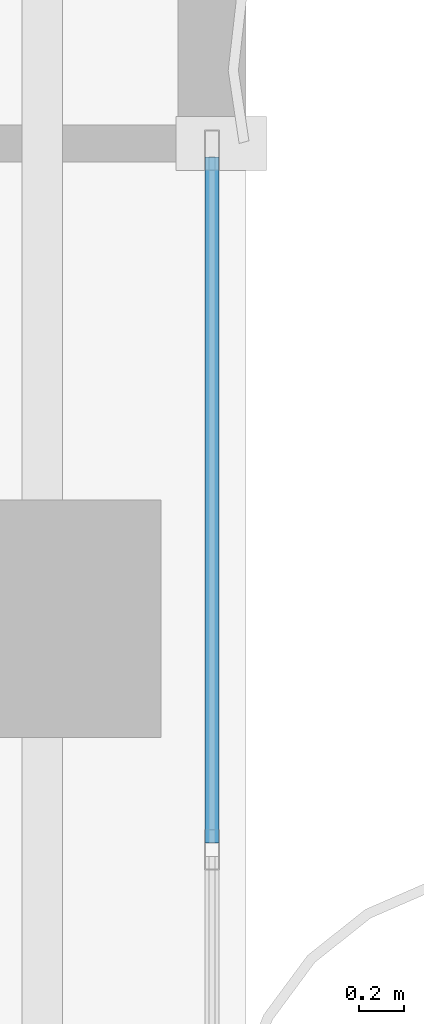
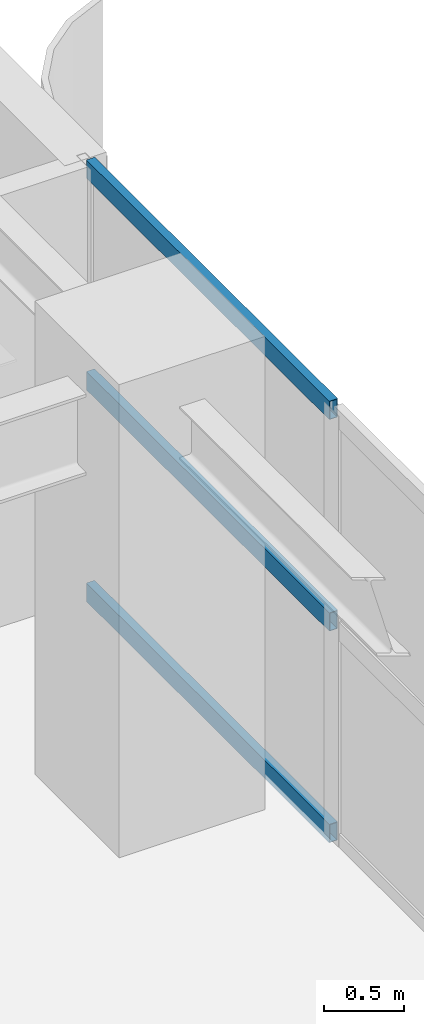
# One storey, part 13 of 28: 3 members, 1 element without a shape of its own.
"""IFC4 building model written with IfcOpenShell, lengths in metres."""

from ifc_helpers import new_model, si_unit, direction, frame, origin, origin_2d, place, context, subcontext, project, spatial, hollow_rectangle, extrude, source, transform, mapped, material, layer, layer_set, material_profile, profile_set, type_object, element, aggregate, save


model = new_model("IFC4")

# Units and contexts
model_context = context("Model", 3, precision=1e-05, world=origin(), true_north=direction((0.0, 1.0)))
body_context = subcontext(model_context, "Body", "Model", "MODEL_VIEW")
ifc_project = project(units=[si_unit("LENGTHUNIT", "METRE"), si_unit("AREAUNIT", "SQUARE_METRE"), si_unit("VOLUMEUNIT", "CUBIC_METRE"), si_unit("PLANEANGLEUNIT", "RADIAN"), si_unit("MASSUNIT", "GRAM", prefix="KILO")], contexts=[model_context])

# Site, building, storey
site_placement = place(None, origin())
site = spatial("IfcSite", under=ifc_project, at=site_placement, CompositionType="ELEMENT")
building_placement = place(site_placement, origin())
building = spatial("IfcBuilding", under=site, at=building_placement, Name="Khoralis Quay Care Tower", CompositionType="ELEMENT")
storey_placement = place(building_placement, frame((0.0, 0.0, 144.89990234375)))
storey = spatial("IfcBuildingStorey", under=building, at=storey_placement, Name="L38", CompositionType="ELEMENT", Elevation=144.89990234375)

# Curtain wall, members
ifc_material = material(Name="Pale anodised aluminium", Category="aluminium")
ifc_layer = layer(ifc_material, 0.169921875)
ifc_layer_set = layer_set([ifc_layer], Name="Pale anodised aluminium")
curtain_wall_type = type_object("IfcCurtainWallType", Name="CW-SYS-Z2", PredefinedType="NOTDEFINED", material=ifc_layer_set)
curtain_wall_placement = place(storey_placement, origin())
curtain_wall = element("IfcCurtainWall", 1, at=curtain_wall_placement, inside=storey, type_object=curtain_wall_type, Name="L38 Unitised Curtain Wall CW-L38-P1-E5", PredefinedType="NOTDEFINED")
ifc_material_profile = material_profile(ifc_material, hollow_rectangle(XDim=0.06005859375, YDim=0.139892578125, WallThickness=0.00390625, at=origin_2d()), Name="Pale anodised aluminium")
ifc_profile_set = profile_set([ifc_material_profile], Name="Pale anodised aluminium")
member_type = type_object("IfcMemberType", Name="CW-TRN-140", PredefinedType="USERDEFINED", material=ifc_profile_set)
shared_shape = source(origin(), body_context, "Body", "SweptSolid", [
    extrude(hollow_rectangle(XDim=0.06005859375, YDim=0.139892578125, WallThickness=0.00390625, at=origin_2d()), origin(), (0.0, 0.0, 1.0), 3.030029296875),
])
member_1_placement = place(storey_placement, frame((44.85009765625, 29.010009765625, 0.030029296875), z_axis=(0.0, 1.0, 0.0), x_axis=(-1.0, 0.0, 0.0)))
member_1 = element("IfcMember", 2, at=member_1_placement, type_object=member_type, Name="CW2 transom 5.1", ObjectType="TRANSOM", PredefinedType="USERDEFINED", context=body_context, shape_type="MappedRepresentation", body=[
    mapped(shared_shape, transform((0.0, 0.0, 0.0), scale=1.0)),
])
member_2_placement = place(storey_placement, frame((44.85009765625, 29.010009765625, 1.64013671875), z_axis=(0.0, 1.0, 0.0), x_axis=(-1.0, 0.0, 0.0)))
member_2 = element("IfcMember", 3, at=member_2_placement, type_object=member_type, Name="CW2 transom 5.2", ObjectType="TRANSOM", PredefinedType="USERDEFINED", context=body_context, shape_type="MappedRepresentation", body=[
    mapped(shared_shape, transform((0.0, 0.0, 0.0), scale=1.0)),
])
member_3_placement = place(storey_placement, frame((44.85009765625, 29.010009765625, 3.25), z_axis=(0.0, 1.0, 0.0), x_axis=(-1.0, 0.0, 0.0)))
member_3 = element("IfcMember", 4, at=member_3_placement, type_object=member_type, Name="CW2 transom 5.3", ObjectType="TRANSOM", PredefinedType="USERDEFINED", context=body_context, shape_type="MappedRepresentation", body=[
    mapped(shared_shape, transform((0.0, 0.0, 0.0), scale=1.0)),
])
aggregate(curtain_wall, [member_1, member_2, member_3])

save(model, "model.ifc")
